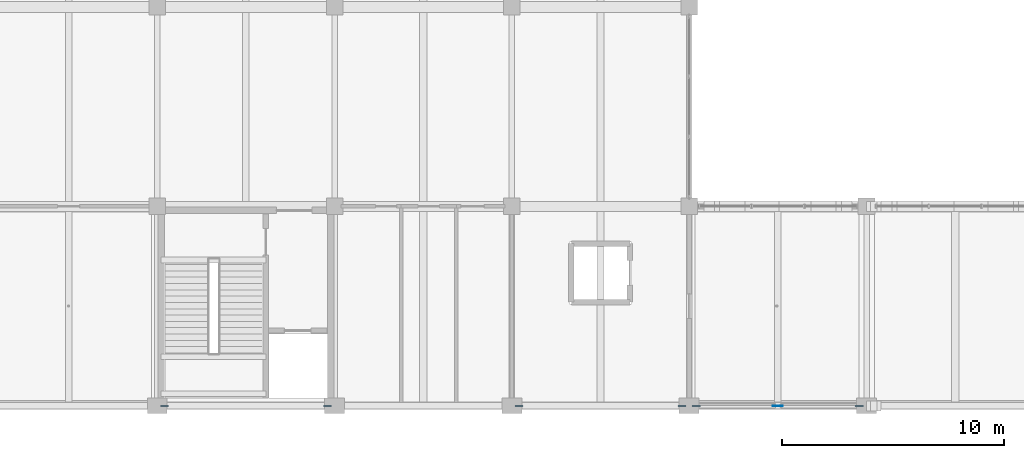
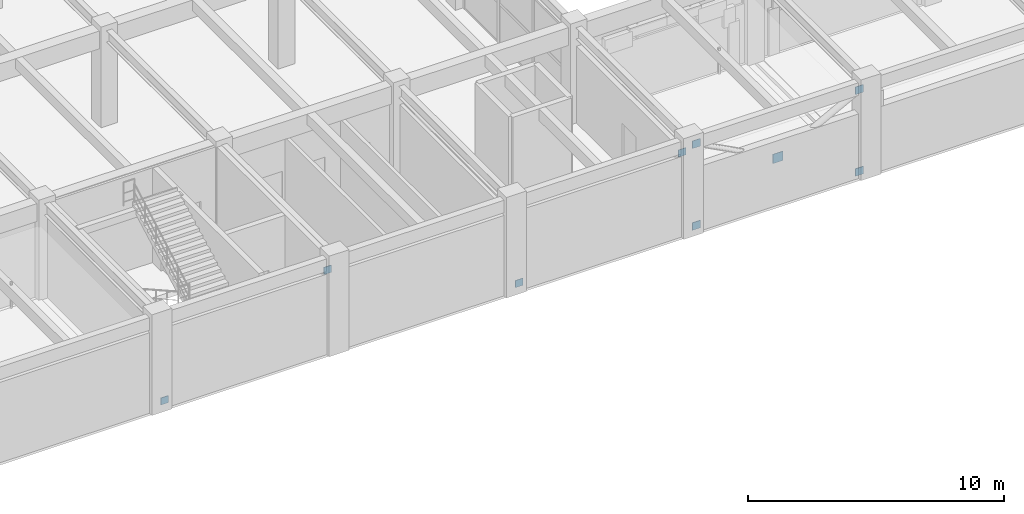
# One storey, part 101 of 144: 9 plates.
"""IFC4 building model written with IfcOpenShell, lengths in metres."""

from ifc_helpers import new_model, si_unit, direction, frame, origin, origin_2d, place, context, subcontext, project, spatial, rectangle, extrude, material, layer, layer_set, type_object, element, save


model = new_model("IFC4")

# Units and contexts
model_context = context("Model", 3, precision=1e-05, world=origin(), true_north=direction((0.0, 1.0)))
body_context = subcontext(model_context, "Body", "Model", "MODEL_VIEW")
ifc_project = project(units=[si_unit("LENGTHUNIT", "METRE"), si_unit("AREAUNIT", "SQUARE_METRE"), si_unit("VOLUMEUNIT", "CUBIC_METRE"), si_unit("PLANEANGLEUNIT", "RADIAN"), si_unit("MASSUNIT", "GRAM", prefix="KILO")], contexts=[model_context])

# Site, building, storey
site_placement = place(None, origin())
site = spatial("IfcSite", under=ifc_project, at=site_placement, CompositionType="ELEMENT")
building_placement = place(site_placement, origin())
building = spatial("IfcBuilding", under=site, at=building_placement, Name="Varnabhumi Central Station", CompositionType="ELEMENT")
storey_placement = place(building_placement, frame((0.0, 0.0, 4.800048828125)))
storey = spatial("IfcBuildingStorey", under=building, at=storey_placement, Name="L01", CompositionType="ELEMENT", Elevation=4.800048828125)

# Plates
ifc_material = material(Name="Structural steel E350", Category="steel")
ifc_layer = layer(ifc_material, 0.031982421875, Name="Structural steel E350", Category="steel")
ifc_layer_set = layer_set([ifc_layer], Name="Structural steel E350")
plate_type = type_object("IfcPlateType", Name="PLT-GUSSET-A", PredefinedType="USERDEFINED", material=ifc_layer_set)
plate_placement = place(storey_placement, frame((116.0, 0.0, 1.929931640625), z_axis=(0.0, 0.0, 1.0), x_axis=(1.0, 0.0, 0.0)))
element("IfcPlate", 1, at=plate_placement, inside=storey, type_object=plate_type, Name="X-Brace Crossing Node Gusset L01-A:15-16", ObjectType="GUSSET PLATE", PredefinedType="USERDEFINED", context=body_context, shape_type="SweptSolid", body=[
    extrude(rectangle(XDim=0.43994140625, YDim=0.02490234375, at=origin_2d()), origin(), (0.0, 0.0, 1.0), 0.43994140625),
])
for number, where, z_axis, x_axis, name in (
    (2, (112.320068359375, 0.0, 0.02001953125), (0.0, 0.0, 1.0), (1.0, 0.0, 0.0), "Brace End Gusset Plate L01-A:15-16-BL"),
    (3, (112.320068359375, 0.0, 3.919921875), (0.0, 0.0, 1.0), (1.0, 0.0, 0.0), "Brace End Gusset Plate L01-A:15-16-TL"),
    (4, (119.679931640625, 0.0, 0.02001953125), (0.0, 0.0, 1.0), (1.0, 0.0, 0.0), "Brace End Gusset Plate L01-A:15-16-BR"),
    (5, (119.679931640625, 0.0, 3.919921875), (0.0, 0.0, 1.0), (1.0, 0.0, 0.0), "Brace End Gusset Plate L01-A:15-16-TR"),
):
    element("IfcPlate", number, at=place(storey_placement, frame(where, z_axis=z_axis, x_axis=x_axis)), inside=storey, type_object=plate_type, Name=name, ObjectType="GUSSET PLATE", PredefinedType="USERDEFINED", context=body_context, shape_type="SweptSolid", body=[
        extrude(rectangle(XDim=0.360107421875, YDim=0.02490234375, at=origin_2d()), origin(), (0.0, 0.0, 1.0), 0.360107421875),
    ])
for number, where, z_axis, x_axis, name in (
    (6, (88.320068359375, 0.0, 0.080078125), (0.0, 0.0, 1.0), (1.0, 0.0, 0.0), "Lateral Brace End Gusset WB-11-B"),
    (7, (95.679931640625, 0.0, 3.72998046875), (0.0, 0.0, 1.0), (1.0, 0.0, 0.0), "Lateral Brace End Gusset WB-11-T"),
    (8, (104.320068359375, 0.0, 0.080078125), (0.0, 0.0, 1.0), (1.0, 0.0, 0.0), "Lateral Brace End Gusset WB-12-B"),
    (9, (111.679931640625, 0.0, 3.72998046875), (0.0, 0.0, 1.0), (1.0, 0.0, 0.0), "Lateral Brace End Gusset WB-12-T"),
):
    element("IfcPlate", number, at=place(storey_placement, frame(where, z_axis=z_axis, x_axis=x_axis)), inside=storey, type_object=plate_type, Name=name, ObjectType="GUSSET PLATE", PredefinedType="USERDEFINED", context=body_context, shape_type="SweptSolid", body=[
        extrude(rectangle(XDim=0.340087890625, YDim=0.02490234375, at=origin_2d()), origin(), (0.0, 0.0, 1.0), 0.340087890625),
    ])

save(model, "model.ifc")
